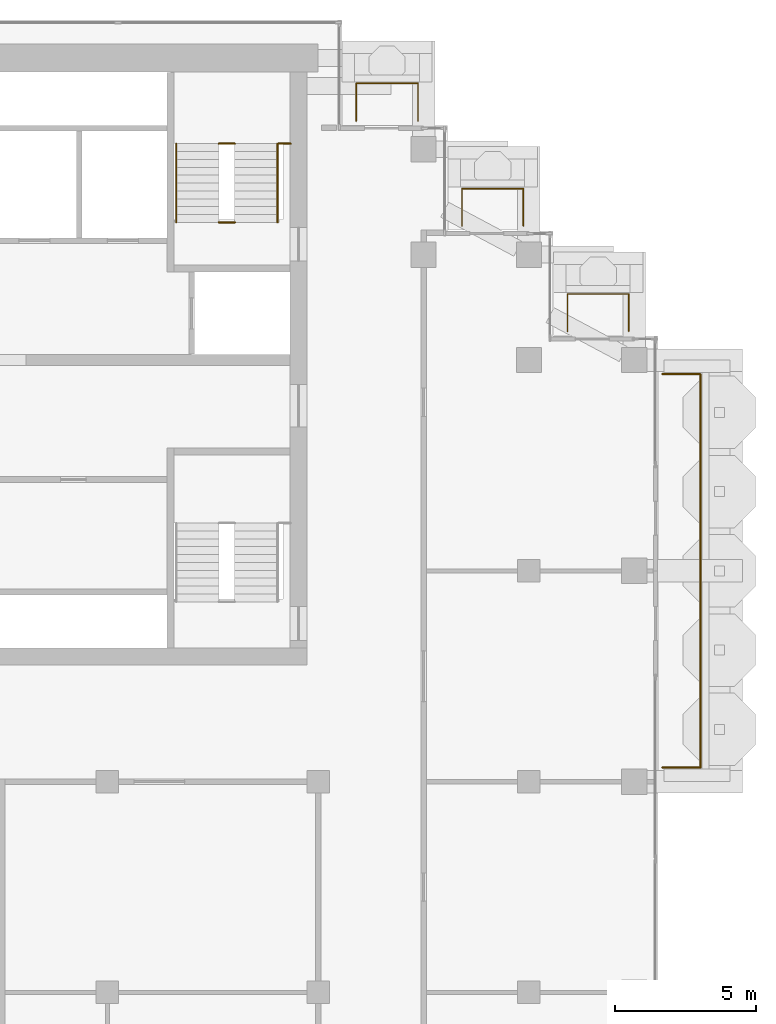
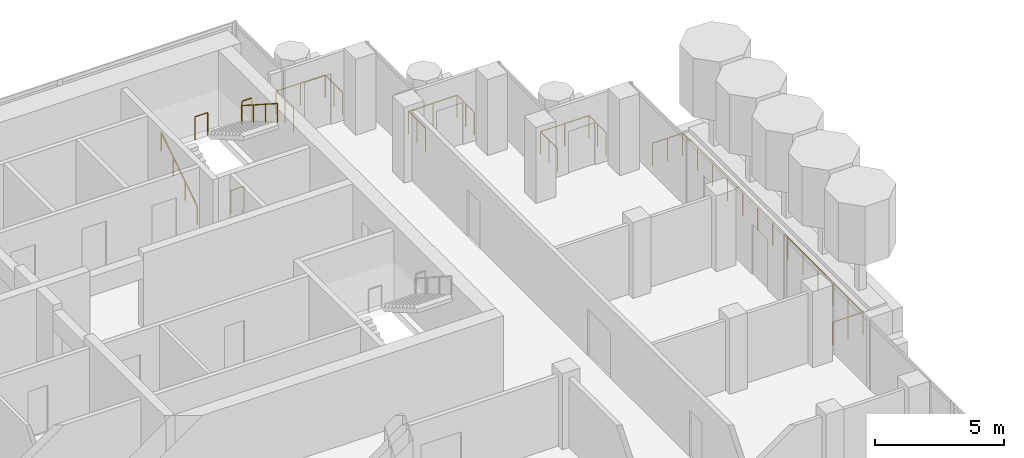
# One storey, part 17 of 18: 9 railings.
"""IFC4 building model written with IfcOpenShell, lengths in metres."""

from ifc_helpers import new_model, si_unit, direction, frame, origin, origin_2d, place, context, subcontext, project, spatial, circle, extrude, material, type_object, element, save


model = new_model("IFC4")

# Units and contexts
model_context = context("Model", 3, precision=1e-05, world=origin(), true_north=direction((0.0, 1.0)))
body_context = subcontext(model_context, "Body", "Model", "MODEL_VIEW")
ifc_project = project(units=[si_unit("LENGTHUNIT", "METRE"), si_unit("AREAUNIT", "SQUARE_METRE"), si_unit("VOLUMEUNIT", "CUBIC_METRE"), si_unit("PLANEANGLEUNIT", "RADIAN"), si_unit("MASSUNIT", "GRAM", prefix="KILO")], contexts=[model_context])

# Site, building, storey
site_placement = place(None, origin())
site = spatial("IfcSite", under=ifc_project, at=site_placement, CompositionType="ELEMENT")
building_placement = place(site_placement, origin())
building = spatial("IfcBuilding", under=site, at=building_placement, Name="Pilkhan Gate Tower", CompositionType="ELEMENT")
storey_placement = place(building_placement, frame((0.0, 0.0, 231.89990234375)))
storey = spatial("IfcBuildingStorey", under=building, at=storey_placement, Name="L60", CompositionType="ELEMENT", Elevation=231.89990234375)

# Railings
ifc_material_1 = material(Name="Pale anodised aluminium posts, laminated glass infill", Category="aluminium")
railing_type_1 = type_object("IfcRailingType", Name="Balcony guard G1", PredefinedType="BALUSTRADE", material=ifc_material_1)
railing_1_placement = place(storey_placement, frame((102.25, 68.0, 0.0)))
element("IfcRailing", 1, at=railing_1_placement, inside=storey, type_object=railing_type_1, Name="Balcony guard L60 E", PredefinedType="BALUSTRADE", context=body_context, shape_type="SweptSolid", body=[
    extrude(circle(Radius=0.02392578125, at=origin_2d()), frame((0.0, 0.0, 1.076171875), z_axis=(1.0, 0.0, 0.0), x_axis=(0.0, 1.0, 0.0)), (0.0, 0.0, 1.0), 1.35009765625),
    extrude(circle(Radius=0.02392578125, at=origin_2d()), frame((1.35009765625, 0.0, 1.076171875), z_axis=(0.0, 1.0, 0.0), x_axis=(-1.0, 0.0, 0.0)), (0.0, 0.0, 1.0), 14.0),
    extrude(circle(Radius=0.02392578125, at=origin_2d()), frame((1.35009765625, 14.0, 1.076171875), z_axis=(-1.0, 0.0, 0.0), x_axis=(0.0, -1.0, 0.0)), (0.0, 0.0, 1.0), 1.35009765625),
    extrude(circle(Radius=0.02099609375, at=origin_2d()), origin(), (0.0, 0.0, 1.0), 1.052001953125),
    extrude(circle(Radius=0.02099609375, at=origin_2d()), frame((0.675048828125, 0.0, 0.0)), (0.0, 0.0, 1.0), 1.052001953125),
    extrude(circle(Radius=0.02099609375, at=origin_2d()), frame((1.35009765625, 0.0, 0.0)), (0.0, 0.0, 1.0), 1.052001953125),
    extrude(circle(Radius=0.02099609375, at=origin_2d()), frame((1.35009765625, 1.166748046875, 0.0)), (0.0, 0.0, 1.0), 1.052001953125),
    extrude(circle(Radius=0.02099609375, at=origin_2d()), frame((1.35009765625, 2.333251953125, 0.0)), (0.0, 0.0, 1.0), 1.052001953125),
    extrude(circle(Radius=0.02099609375, at=origin_2d()), frame((1.35009765625, 3.5, 0.0)), (0.0, 0.0, 1.0), 1.052001953125),
    extrude(circle(Radius=0.02099609375, at=origin_2d()), frame((1.35009765625, 4.666748046875, 0.0)), (0.0, 0.0, 1.0), 1.052001953125),
    extrude(circle(Radius=0.02099609375, at=origin_2d()), frame((1.35009765625, 5.833251953125, 0.0)), (0.0, 0.0, 1.0), 1.052001953125),
    extrude(circle(Radius=0.02099609375, at=origin_2d()), frame((1.35009765625, 7.0, 0.0)), (0.0, 0.0, 1.0), 1.052001953125),
    extrude(circle(Radius=0.02099609375, at=origin_2d()), frame((1.35009765625, 8.166748046875, 0.0)), (0.0, 0.0, 1.0), 1.052001953125),
    extrude(circle(Radius=0.02099609375, at=origin_2d()), frame((1.35009765625, 9.333251953125, 0.0)), (0.0, 0.0, 1.0), 1.052001953125),
    extrude(circle(Radius=0.02099609375, at=origin_2d()), frame((1.35009765625, 10.5, 0.0)), (0.0, 0.0, 1.0), 1.052001953125),
    extrude(circle(Radius=0.02099609375, at=origin_2d()), frame((1.35009765625, 11.666748046875, 0.0)), (0.0, 0.0, 1.0), 1.052001953125),
    extrude(circle(Radius=0.02099609375, at=origin_2d()), frame((1.35009765625, 12.833251953125, 0.0)), (0.0, 0.0, 1.0), 1.052001953125),
    extrude(circle(Radius=0.02099609375, at=origin_2d()), frame((1.35009765625, 14.0, 0.0)), (0.0, 0.0, 1.0), 1.052001953125),
    extrude(circle(Radius=0.02099609375, at=origin_2d()), frame((0.675048828125, 14.0, 0.0)), (0.0, 0.0, 1.0), 1.052001953125),
    extrude(circle(Radius=0.02099609375, at=origin_2d()), frame((0.0, 14.0, 0.0)), (0.0, 0.0, 1.0), 1.052001953125),
])
railing_2_placement = place(storey_placement, frame((91.35009765625, 91.0, 0.0)))
element("IfcRailing", 2, at=railing_2_placement, inside=storey, type_object=railing_type_1, Name="Balcony guard L60 N", PredefinedType="BALUSTRADE", context=body_context, shape_type="SweptSolid", body=[
    extrude(circle(Radius=0.02392578125, at=origin_2d()), frame((0.0, 0.0, 1.076171875), z_axis=(0.0, 1.0, 0.0), x_axis=(-1.0, 0.0, 0.0)), (0.0, 0.0, 1.0), 1.35009765625),
    extrude(circle(Radius=0.02392578125, at=origin_2d()), frame((0.0, 1.35009765625, 1.076171875), z_axis=(1.0, 0.0, 0.0), x_axis=(0.0, 1.0, 0.0)), (0.0, 0.0, 1.0), 2.199951171875),
    extrude(circle(Radius=0.02392578125, at=origin_2d()), frame((2.199951171875, 1.35009765625, 1.076171875), z_axis=(0.0, -1.0, 0.0), x_axis=(1.0, 0.0, 0.0)), (0.0, 0.0, 1.0), 1.35009765625),
    extrude(circle(Radius=0.02099609375, at=origin_2d()), origin(), (0.0, 0.0, 1.0), 1.052001953125),
    extrude(circle(Radius=0.02099609375, at=origin_2d()), frame((0.0, 0.675048828125, 0.0)), (0.0, 0.0, 1.0), 1.052001953125),
    extrude(circle(Radius=0.02099609375, at=origin_2d()), frame((0.0, 1.35009765625, 0.0)), (0.0, 0.0, 1.0), 1.052001953125),
    extrude(circle(Radius=0.02099609375, at=origin_2d()), frame((1.10009765625, 1.35009765625, 0.0)), (0.0, 0.0, 1.0), 1.052001953125),
    extrude(circle(Radius=0.02099609375, at=origin_2d()), frame((2.199951171875, 1.35009765625, 0.0)), (0.0, 0.0, 1.0), 1.052001953125),
    extrude(circle(Radius=0.02099609375, at=origin_2d()), frame((2.199951171875, 0.675048828125, 0.0)), (0.0, 0.0, 1.0), 1.052001953125),
    extrude(circle(Radius=0.02099609375, at=origin_2d()), frame((2.199951171875, 0.0, 0.0)), (0.0, 0.0, 1.0), 1.052001953125),
])
for number, where, name in (
    (3, (95.1201171875, 87.27001953125, 0.0), "Balcony guard L60 N"),
    (4, (98.8701171875, 83.52001953125, 0.0), "Balcony guard L60 N"),
):
    element("IfcRailing", number, at=place(storey_placement, frame(where)), inside=storey, type_object=railing_type_1, Name=name, PredefinedType="BALUSTRADE", context=body_context, shape_type="SweptSolid", body=[
        extrude(circle(Radius=0.02392578125, at=origin_2d()), frame((0.0, 0.0, 1.076171875), z_axis=(0.0, 1.0, 0.0), x_axis=(-1.0, 0.0, 0.0)), (0.0, 0.0, 1.0), 1.330078125),
        extrude(circle(Radius=0.02392578125, at=origin_2d()), frame((0.0, 1.330078125, 1.076171875), z_axis=(1.0, 0.0, 0.0), x_axis=(0.0, 1.0, 0.0)), (0.0, 0.0, 1.0), 2.179931640625),
        extrude(circle(Radius=0.02392578125, at=origin_2d()), frame((2.179931640625, 1.330078125, 1.076171875), z_axis=(0.0, -1.0, 0.0), x_axis=(1.0, 0.0, 0.0)), (0.0, 0.0, 1.0), 1.330078125),
        extrude(circle(Radius=0.02099609375, at=origin_2d()), origin(), (0.0, 0.0, 1.0), 1.052001953125),
        extrude(circle(Radius=0.02099609375, at=origin_2d()), frame((0.0, 0.6650390625, 0.0)), (0.0, 0.0, 1.0), 1.052001953125),
        extrude(circle(Radius=0.02099609375, at=origin_2d()), frame((0.0, 1.330078125, 0.0)), (0.0, 0.0, 1.0), 1.052001953125),
        extrude(circle(Radius=0.02099609375, at=origin_2d()), frame((1.08984375, 1.330078125, 0.0)), (0.0, 0.0, 1.0), 1.052001953125),
        extrude(circle(Radius=0.02099609375, at=origin_2d()), frame((2.179931640625, 1.330078125, 0.0)), (0.0, 0.0, 1.0), 1.052001953125),
        extrude(circle(Radius=0.02099609375, at=origin_2d()), frame((2.179931640625, 0.6650390625, 0.0)), (0.0, 0.0, 1.0), 1.052001953125),
        extrude(circle(Radius=0.02099609375, at=origin_2d()), frame((2.179931640625, 0.0, 0.0)), (0.0, 0.0, 1.0), 1.052001953125),
    ])
ifc_material_2 = material(Name="Black powder-coated steel tube", Category="steel")
railing_type_2 = type_object("IfcRailingType", Name="Stair handrail HR1", PredefinedType="HANDRAIL", material=ifc_material_2)
railing_3_placement = place(storey_placement, frame((84.949951171875, 87.39990234375, 0.0)))
element("IfcRailing", 5, at=railing_3_placement, inside=storey, type_object=railing_type_2, Name="Stair ST4 handrail L60", PredefinedType="HANDRAIL", context=body_context, shape_type="SweptSolid", body=[
    extrude(circle(Radius=0.02392578125, at=origin_2d()), frame((0.0, 0.0, 0.8759765625), z_axis=(0.0, 0.841176092368, 0.540761298198), x_axis=(-1.0, 0.0, 0.0)), (0.0, 0.0, 1.0), 3.32861328125),
    extrude(circle(Radius=0.02099609375, at=origin_2d()), origin(), (0.0, 0.0, 1.0), 0.851806640625),
    extrude(circle(Radius=0.02099609375, at=origin_2d()), frame((0.0, 0.933349609375, 0.60009765625)), (0.0, 0.0, 1.0), 0.851806640625),
    extrude(circle(Radius=0.02099609375, at=origin_2d()), frame((0.0, 1.86669921875, 1.199951171875)), (0.0, 0.0, 1.0), 0.851806640625),
    extrude(circle(Radius=0.02099609375, at=origin_2d()), frame((0.0, 2.800048828125, 1.800048828125)), (0.0, 0.0, 1.0), 0.851806640625),
])
railing_4_placement = place(storey_placement, frame((88.550048828125, 90.199951171875, 1.800048828125)))
element("IfcRailing", 6, at=railing_4_placement, inside=storey, type_object=railing_type_2, Name="Stair ST4 handrail L60", PredefinedType="HANDRAIL", context=body_context, shape_type="SweptSolid", body=[
    extrude(circle(Radius=0.02392578125, at=origin_2d()), frame((0.0, 0.0, 0.8759765625), z_axis=(0.0, -0.841176092368, 0.540761298198), x_axis=(1.0, 0.0, 0.0)), (0.0, 0.0, 1.0), 3.32861328125),
    extrude(circle(Radius=0.02099609375, at=origin_2d()), origin(), (0.0, 0.0, 1.0), 0.851806640625),
    extrude(circle(Radius=0.02099609375, at=origin_2d()), frame((0.0, -0.933349609375, 0.60009765625)), (0.0, 0.0, 1.0), 0.851806640625),
    extrude(circle(Radius=0.02099609375, at=origin_2d()), frame((0.0, -1.86669921875, 1.199951171875)), (0.0, 0.0, 1.0), 0.851806640625),
    extrude(circle(Radius=0.02099609375, at=origin_2d()), frame((0.0, -2.800048828125, 1.800048828125)), (0.0, 0.0, 1.0), 0.851806640625),
])
ifc_material_3 = material(Name="Black powder-coated steel balusters", Category="steel")
railing_type_3 = type_object("IfcRailingType", Name="Stair well guard G3", PredefinedType="GUARDRAIL", material=ifc_material_3)
railing_5_placement = place(storey_placement, frame((88.580078125, 90.199951171875, 1.800048828125)))
element("IfcRailing", 7, at=railing_5_placement, inside=storey, type_object=railing_type_3, Name="Stair ST4 well guard L60", PredefinedType="GUARDRAIL", context=body_context, shape_type="SweptSolid", body=[
    extrude(circle(Radius=0.02392578125, at=origin_2d()), frame((0.0, 0.0, 1.076171875), z_axis=(1.0, 0.0, 0.0), x_axis=(0.0, 1.0, 0.0)), (0.0, 0.0, 1.0), 0.43994140625),
    extrude(circle(Radius=0.02099609375, at=origin_2d()), origin(), (0.0, 0.0, 1.0), 1.052001953125),
    extrude(circle(Radius=0.02099609375, at=origin_2d()), frame((0.43994140625, 0.0, 0.0)), (0.0, 0.0, 1.0), 1.052001953125),
])
for number, where, name in (
    (8, (86.4599609375, 87.39990234375, 0.0), "Stair ST4 well guard L60"),
    (9, (86.4599609375, 90.199951171875, 1.800048828125), "Stair ST4 well guard L60"),
):
    element("IfcRailing", number, at=place(storey_placement, frame(where)), inside=storey, type_object=railing_type_3, Name=name, PredefinedType="GUARDRAIL", context=body_context, shape_type="SweptSolid", body=[
        extrude(circle(Radius=0.02392578125, at=origin_2d()), frame((0.0, 0.0, 1.076171875), z_axis=(1.0, 0.0, 0.0), x_axis=(0.0, 1.0, 0.0)), (0.0, 0.0, 1.0), 0.580078125),
        extrude(circle(Radius=0.02099609375, at=origin_2d()), origin(), (0.0, 0.0, 1.0), 1.052001953125),
        extrude(circle(Radius=0.02099609375, at=origin_2d()), frame((0.580078125, 0.0, 0.0)), (0.0, 0.0, 1.0), 1.052001953125),
    ])

save(model, "model.ifc")
